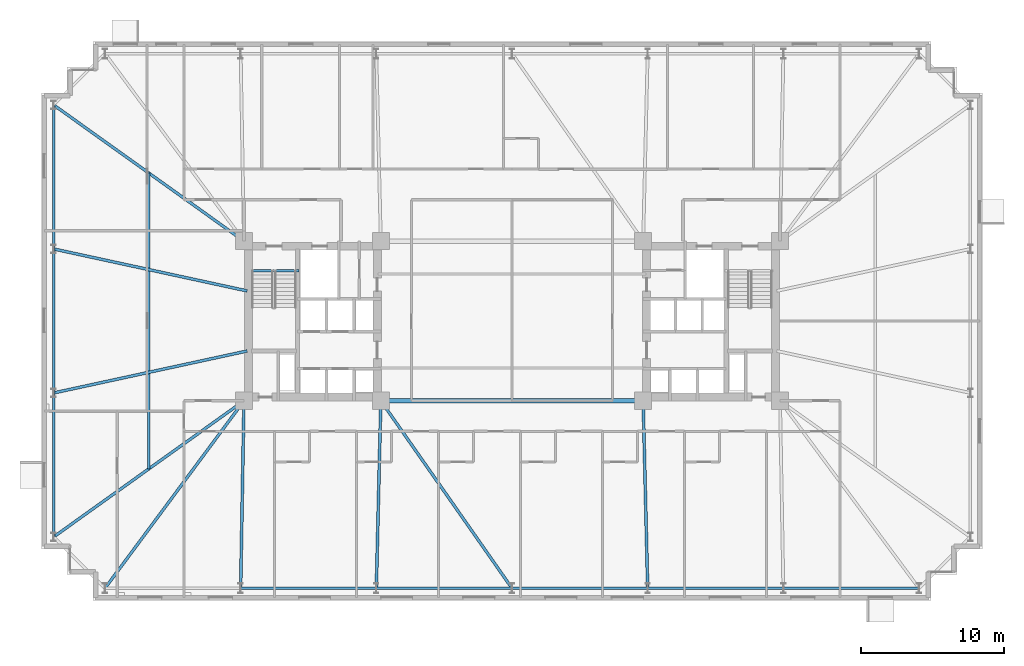
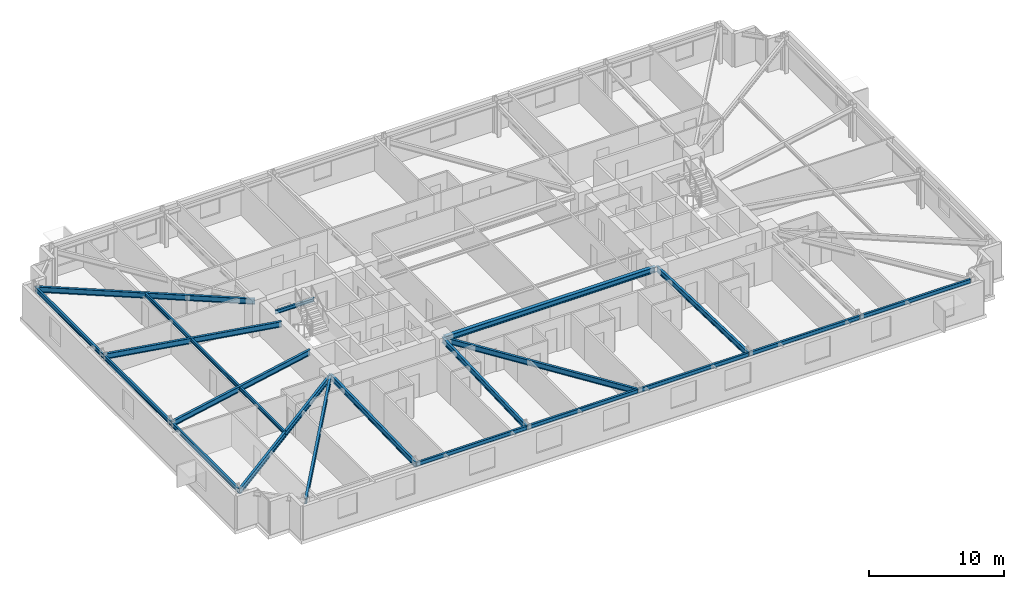
# One storey, part 5 of 20: 20 beams.
"""IFC4 building model written with IfcOpenShell, lengths in metres."""

from ifc_helpers import new_model, si_unit, direction, frame, origin, origin_2d, place, context, subcontext, project, spatial, i_section, extrude, material, material_profile, profile_set, type_object, element, save


model = new_model("IFC4")

# Units and contexts
model_context = context("Model", 3, precision=1e-05, world=origin(), true_north=direction((0.0, 1.0)))
body_context = subcontext(model_context, "Body", "Model", "MODEL_VIEW")
ifc_project = project(units=[si_unit("LENGTHUNIT", "METRE"), si_unit("AREAUNIT", "SQUARE_METRE"), si_unit("VOLUMEUNIT", "CUBIC_METRE"), si_unit("PLANEANGLEUNIT", "RADIAN"), si_unit("MASSUNIT", "GRAM", prefix="KILO")], contexts=[model_context])

# Site, building, storey
site_placement = place(None, origin())
site = spatial("IfcSite", under=ifc_project, at=site_placement, CompositionType="ELEMENT")
building_placement = place(site_placement, origin())
building = spatial("IfcBuilding", under=site, at=building_placement, Name="Qobustan Lattice House", CompositionType="ELEMENT")
storey_placement = place(building_placement, frame((0.0, 0.0, 67.199951171875)))
storey = spatial("IfcBuildingStorey", under=building, at=storey_placement, Name="L18", CompositionType="ELEMENT", Elevation=67.199951171875)

# Beams
ifc_material_1 = material(Name="Steel S355", Category="steel")
ifc_material_profile_1 = material_profile(ifc_material_1, i_section(OverallWidth=0.300048828125, OverallDepth=0.5, WebThickness=0.014404296875, FlangeThickness=0.028076171875, FilletRadius=0.027099609375, at=origin_2d()), Name="HEB500")
ifc_profile_set_1 = profile_set([ifc_material_profile_1], Name="Steel S355")
beam_type_1 = type_object("IfcBeamType", Name="BM-CG-HEB500", PredefinedType="USERDEFINED", material=ifc_profile_set_1)
beam_1_placement = place(storey_placement, frame((-9.050048828125, -5.60009765625, 2.78515625), z_axis=(1.0, 0.0, 0.0), x_axis=(0.0, 1.0, 0.0)))
element("IfcBeam", 1, at=beam_1_placement, inside=storey, type_object=beam_type_1, Name="L18 core spine girder CG-CS", ObjectType="GIRDER", PredefinedType="USERDEFINED", context=body_context, shape_type="SweptSolid", body=[
    extrude(i_section(OverallWidth=0.300048828125, OverallDepth=0.5, WebThickness=0.014404296875, FlangeThickness=0.028076171875, FilletRadius=0.027099609375, at=origin_2d()), origin(), (0.0, 0.0, 1.0), 18.10009765625),
])
ifc_material_2 = material(Name="Steel S355", Category="steel")
ifc_material_profile_2 = material_profile(ifc_material_2, i_section(OverallWidth=0.199951171875, OverallDepth=0.5, WebThickness=0.01025390625, FlangeThickness=0.01611328125, FilletRadius=0.02099609375, at=origin_2d()), Name="IPE500")
ifc_profile_set_2 = profile_set([ifc_material_profile_2], Name="Steel S355")
beam_type_2 = type_object("IfcBeamType", Name="BM-FLG-IPE500", PredefinedType="USERDEFINED", material=ifc_profile_set_2)
beam_2_placement = place(storey_placement, frame((-28.53515625, -18.72998046875, 2.78515625), z_axis=(0.5955916815, 0.803287338956, 0.0), x_axis=(-0.803287338956, 0.5955916815, 0.0)))
element("IfcBeam", 2, at=beam_2_placement, inside=storey, type_object=beam_type_2, Name="L18 primary floor girder RAD-S1W", ObjectType="GIRDER", PredefinedType="USERDEFINED", context=body_context, shape_type="SweptSolid", body=[
    extrude(i_section(OverallWidth=0.199951171875, OverallDepth=0.5, WebThickness=0.01025390625, FlangeThickness=0.01611328125, FilletRadius=0.02099609375, at=origin_2d()), origin(), (0.0, 0.0, 1.0), 16.3203125),
])
beam_3_placement = place(storey_placement, frame((-19.032958984375, -18.72509765625, 2.78515625), z_axis=(0.017757831607, 0.999842317276, 0.0), x_axis=(-0.999842317276, 0.017757831607, 0.0)))
element("IfcBeam", 3, at=beam_3_placement, inside=storey, type_object=beam_type_2, Name="L18 primary floor girder RAD-S2", ObjectType="GIRDER", PredefinedType="USERDEFINED", context=body_context, shape_type="SweptSolid", body=[
    extrude(i_section(OverallWidth=0.199951171875, OverallDepth=0.5, WebThickness=0.01025390625, FlangeThickness=0.01611328125, FilletRadius=0.02099609375, at=origin_2d()), origin(), (0.0, 0.0, 1.0), 13.10205078125),
])
beam_4_placement = place(storey_placement, frame((-9.51611328125, -18.72509765625, 2.78515625), z_axis=(0.024071445657, 0.999710240772, 0.0), x_axis=(-0.999710240772, 0.024071445657, 0.0)))
element("IfcBeam", 4, at=beam_4_placement, inside=storey, type_object=beam_type_2, Name="L18 primary floor girder RAD-S3", ObjectType="GIRDER", PredefinedType="USERDEFINED", context=body_context, shape_type="SweptSolid", body=[
    extrude(i_section(OverallWidth=0.199951171875, OverallDepth=0.5, WebThickness=0.01025390625, FlangeThickness=0.01611328125, FilletRadius=0.02099609375, at=origin_2d()), origin(), (0.0, 0.0, 1.0), 13.10400390625),
])
beam_5_placement = place(storey_placement, frame((-0.014404296875, -18.7294921875, 2.78515625), z_axis=(-0.57325954206, 0.819373844736, 0.0), x_axis=(-0.819373844736, -0.57325954206, 0.0)))
element("IfcBeam", 5, at=beam_5_placement, inside=storey, type_object=beam_type_2, Name="L18 primary floor girder RAD-S4", ObjectType="GIRDER", PredefinedType="USERDEFINED", context=body_context, shape_type="SweptSolid", body=[
    extrude(i_section(OverallWidth=0.199951171875, OverallDepth=0.5, WebThickness=0.01025390625, FlangeThickness=0.01611328125, FilletRadius=0.02099609375, at=origin_2d()), origin(), (0.0, 0.0, 1.0), 15.998779296875),
])
beam_6_placement = place(storey_placement, frame((9.51611328125, -18.72509765625, 2.78515625), z_axis=(-0.024071445657, 0.999710240772, 0.0), x_axis=(-0.999710240772, -0.024071445657, 0.0)))
element("IfcBeam", 6, at=beam_6_placement, inside=storey, type_object=beam_type_2, Name="L18 primary floor girder RAD-S5", ObjectType="GIRDER", PredefinedType="USERDEFINED", context=body_context, shape_type="SweptSolid", body=[
    extrude(i_section(OverallWidth=0.199951171875, OverallDepth=0.5, WebThickness=0.01025390625, FlangeThickness=0.01611328125, FilletRadius=0.02099609375, at=origin_2d()), origin(), (0.0, 0.0, 1.0), 13.10400390625),
])
beam_7_placement = place(storey_placement, frame((-32.129638671875, 15.135498046875, 2.78515625), z_axis=(0.813318954893, -0.581818079481, 0.0), x_axis=(0.581818079481, 0.813318954893, 0.0)))
element("IfcBeam", 7, at=beam_7_placement, inside=storey, type_object=beam_type_2, Name="L18 primary floor girder RAD-W1", ObjectType="GIRDER", PredefinedType="USERDEFINED", context=body_context, shape_type="SweptSolid", body=[
    extrude(i_section(OverallWidth=0.199951171875, OverallDepth=0.5, WebThickness=0.01025390625, FlangeThickness=0.01611328125, FilletRadius=0.02099609375, at=origin_2d()), origin(), (0.0, 0.0, 1.0), 16.3642578125),
])
for number, where, z_axis, x_axis, name in (
    (8, (-32.12548828125, 5.044677734375, 2.78515625), (0.97727240275, -0.211987383643, 0.0), (0.211987383643, 0.97727240275, 0.0), "L18 primary floor girder RAD-W2"),
    (9, (-32.12548828125, -5.044677734375, 2.78515625), (0.97727240275, 0.211987383643, 0.0), (-0.211987383643, 0.97727240275, 0.0), "L18 primary floor girder RAD-W3"),
):
    element("IfcBeam", number, at=place(storey_placement, frame(where, z_axis=z_axis, x_axis=x_axis)), inside=storey, type_object=beam_type_2, Name=name, ObjectType="GIRDER", PredefinedType="USERDEFINED", context=body_context, shape_type="SweptSolid", body=[
        extrude(i_section(OverallWidth=0.199951171875, OverallDepth=0.5, WebThickness=0.01025390625, FlangeThickness=0.01611328125, FilletRadius=0.02099609375, at=origin_2d()), origin(), (0.0, 0.0, 1.0), 13.8662109375),
    ])
beam_8_placement = place(storey_placement, frame((-32.129638671875, -15.135498046875, 2.78515625), z_axis=(0.813318954893, 0.581818079481, 0.0), x_axis=(-0.581818079481, 0.813318954893, 0.0)))
element("IfcBeam", 10, at=beam_8_placement, inside=storey, type_object=beam_type_2, Name="L18 primary floor girder RAD-W4", ObjectType="GIRDER", PredefinedType="USERDEFINED", context=body_context, shape_type="SweptSolid", body=[
    extrude(i_section(OverallWidth=0.199951171875, OverallDepth=0.5, WebThickness=0.01025390625, FlangeThickness=0.01611328125, FilletRadius=0.02099609375, at=origin_2d()), origin(), (0.0, 0.0, 1.0), 16.3642578125),
])
ifc_material_3 = material(Name="Steel S355", Category="steel")
ifc_material_profile_3 = material_profile(ifc_material_3, i_section(OverallWidth=0.159912109375, OverallDepth=0.330078125, WebThickness=0.007568359375, FlangeThickness=0.011474609375, FilletRadius=0.01806640625, at=origin_2d()), Name="IPE330")
ifc_profile_set_3 = profile_set([ifc_material_profile_3], Name="Steel S355")
beam_type_3 = type_object("IfcBeamType", Name="BM-SEC-IPE330", PredefinedType="BEAM", material=ifc_profile_set_3)
beam_9_placement = place(storey_placement, frame((-25.47509765625, 10.375, 2.8701171875), z_axis=(0.0, -1.0, 0.0), x_axis=(1.0, 0.0, 0.0)))
element("IfcBeam", 11, at=beam_9_placement, inside=storey, type_object=beam_type_3, Name="L18 west wing secondary beam", PredefinedType="BEAM", context=body_context, shape_type="SweptSolid", body=[
    extrude(i_section(OverallWidth=0.159912109375, OverallDepth=0.330078125, WebThickness=0.007568359375, FlangeThickness=0.011474609375, FilletRadius=0.01806640625, at=origin_2d()), origin(), (0.0, 0.0, 1.0), 20.75),
])
ifc_material_4 = material(Name="Steel S355", Category="steel")
ifc_material_profile_4 = material_profile(ifc_material_4, i_section(OverallWidth=0.159912109375, OverallDepth=0.330078125, WebThickness=0.007568359375, FlangeThickness=0.011474609375, FilletRadius=0.01806640625, at=origin_2d()), Name="IPE330")
ifc_profile_set_4 = profile_set([ifc_material_profile_4], Name="Steel S355")
beam_type_4 = type_object("IfcBeamType", Name="BM-SPD-IPE330", PredefinedType="SPANDREL", material=ifc_profile_set_4)
beam_10_placement = place(storey_placement, frame((-18.300048828125, 3.52001953125, 2.8701171875), z_axis=(1.0, 0.0, 0.0), x_axis=(0.0, 1.0, 0.0)))
element("IfcBeam", 12, at=beam_10_placement, inside=storey, type_object=beam_type_4, Name="L18 west stair landing trimmer beam", PredefinedType="SPANDREL", context=body_context, shape_type="SweptSolid", body=[
    extrude(i_section(OverallWidth=0.159912109375, OverallDepth=0.330078125, WebThickness=0.007568359375, FlangeThickness=0.011474609375, FilletRadius=0.01806640625, at=origin_2d()), origin(), (0.0, 0.0, 1.0), 3.35009765625),
])
ifc_material_5 = material(Name="Steel S355", Category="steel")
ifc_material_profile_5 = material_profile(ifc_material_5, i_section(OverallWidth=0.179931640625, OverallDepth=0.39990234375, WebThickness=0.008544921875, FlangeThickness=0.013427734375, FilletRadius=0.02099609375, at=origin_2d()), Name="IPE400")
ifc_profile_set_5 = profile_set([ifc_material_profile_5], Name="Steel S355")
beam_type_5 = type_object("IfcBeamType", Name="BM-SPD-IPE400", PredefinedType="SPANDREL", material=ifc_profile_set_5)
beam_11_placement = place(storey_placement, frame((-19.00830078125, -18.75, 2.8349609375), z_axis=(1.0, 0.0, 0.0), x_axis=(0.0, 1.0, 0.0)))
element("IfcBeam", 13, at=beam_11_placement, inside=storey, type_object=beam_type_5, Name="L18 perimeter spandrel S2-S3", PredefinedType="SPANDREL", context=body_context, shape_type="SweptSolid", body=[
    extrude(i_section(OverallWidth=0.179931640625, OverallDepth=0.39990234375, WebThickness=0.008544921875, FlangeThickness=0.013427734375, FilletRadius=0.02099609375, at=origin_2d()), origin(), (0.0, 0.0, 1.0), 9.466552734375),
])
for number, where, z_axis, x_axis, name in (
    (14, (-9.49169921875, -18.75, 2.8349609375), (1.0, 0.0, 0.0), (0.0, 1.0, 0.0), "L18 perimeter spandrel S3-S4"),
    (15, (0.02490234375, -18.75, 2.8349609375), (1.0, 0.0, 0.0), (0.0, 1.0, 0.0), "L18 perimeter spandrel S4-S5"),
):
    element("IfcBeam", number, at=place(storey_placement, frame(where, z_axis=z_axis, x_axis=x_axis)), inside=storey, type_object=beam_type_5, Name=name, PredefinedType="SPANDREL", context=body_context, shape_type="SweptSolid", body=[
        extrude(i_section(OverallWidth=0.179931640625, OverallDepth=0.39990234375, WebThickness=0.008544921875, FlangeThickness=0.013427734375, FilletRadius=0.02099609375, at=origin_2d()), origin(), (0.0, 0.0, 1.0), 9.466796875),
    ])
for number, where, z_axis, x_axis, name in (
    (16, (9.541748046875, -18.75, 2.8349609375), (1.0, 0.0, 0.0), (0.0, 1.0, 0.0), "L18 perimeter spandrel S5-S6"),
    (17, (19.058349609375, -18.75, 2.8349609375), (1.0, 0.0, 0.0), (0.0, 1.0, 0.0), "L18 perimeter spandrel S6-S7"),
):
    element("IfcBeam", number, at=place(storey_placement, frame(where, z_axis=z_axis, x_axis=x_axis)), inside=storey, type_object=beam_type_5, Name=name, PredefinedType="SPANDREL", context=body_context, shape_type="SweptSolid", body=[
        extrude(i_section(OverallWidth=0.179931640625, OverallDepth=0.39990234375, WebThickness=0.008544921875, FlangeThickness=0.013427734375, FilletRadius=0.02099609375, at=origin_2d()), origin(), (0.0, 0.0, 1.0), 9.466552734375),
    ])
beam_12_placement = place(storey_placement, frame((-32.14990234375, 15.125, 2.8349609375), z_axis=(0.0, -1.0, 0.0), x_axis=(1.0, 0.0, 0.0)))
element("IfcBeam", 18, at=beam_12_placement, inside=storey, type_object=beam_type_5, Name="L18 perimeter spandrel W1-W2", PredefinedType="SPANDREL", context=body_context, shape_type="SweptSolid", body=[
    extrude(i_section(OverallWidth=0.179931640625, OverallDepth=0.39990234375, WebThickness=0.008544921875, FlangeThickness=0.013427734375, FilletRadius=0.02099609375, at=origin_2d()), origin(), (0.0, 0.0, 1.0), 10.050048828125),
])
beam_13_placement = place(storey_placement, frame((-32.14990234375, 5.02490234375, 2.8349609375), z_axis=(0.0, -1.0, 0.0), x_axis=(1.0, 0.0, 0.0)))
element("IfcBeam", 19, at=beam_13_placement, inside=storey, type_object=beam_type_5, Name="L18 perimeter spandrel W2-W3", PredefinedType="SPANDREL", context=body_context, shape_type="SweptSolid", body=[
    extrude(i_section(OverallWidth=0.179931640625, OverallDepth=0.39990234375, WebThickness=0.008544921875, FlangeThickness=0.013427734375, FilletRadius=0.02099609375, at=origin_2d()), origin(), (0.0, 0.0, 1.0), 10.0498046875),
])
beam_14_placement = place(storey_placement, frame((-32.14990234375, -5.074951171875, 2.8349609375), z_axis=(0.0, -1.0, 0.0), x_axis=(1.0, 0.0, 0.0)))
element("IfcBeam", 20, at=beam_14_placement, inside=storey, type_object=beam_type_5, Name="L18 perimeter spandrel W3-W4", PredefinedType="SPANDREL", context=body_context, shape_type="SweptSolid", body=[
    extrude(i_section(OverallWidth=0.179931640625, OverallDepth=0.39990234375, WebThickness=0.008544921875, FlangeThickness=0.013427734375, FilletRadius=0.02099609375, at=origin_2d()), origin(), (0.0, 0.0, 1.0), 10.050048828125),
])

save(model, "model.ifc")
